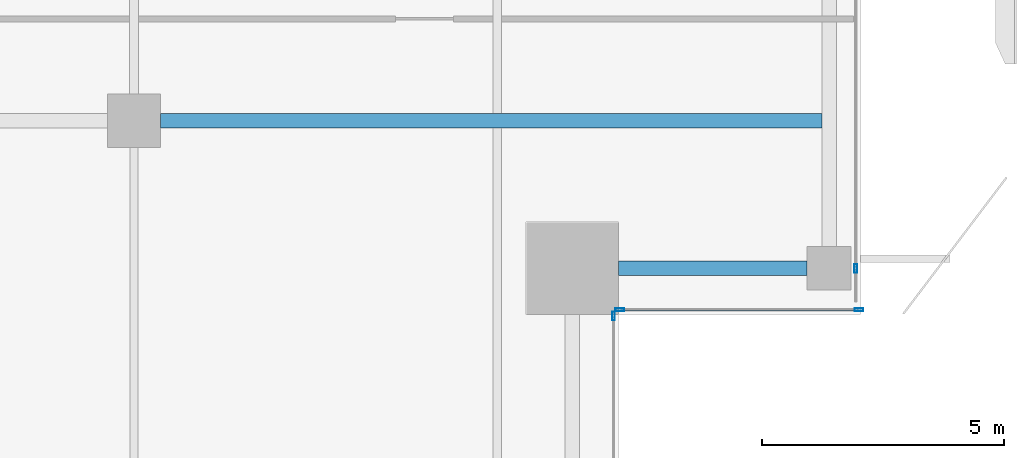
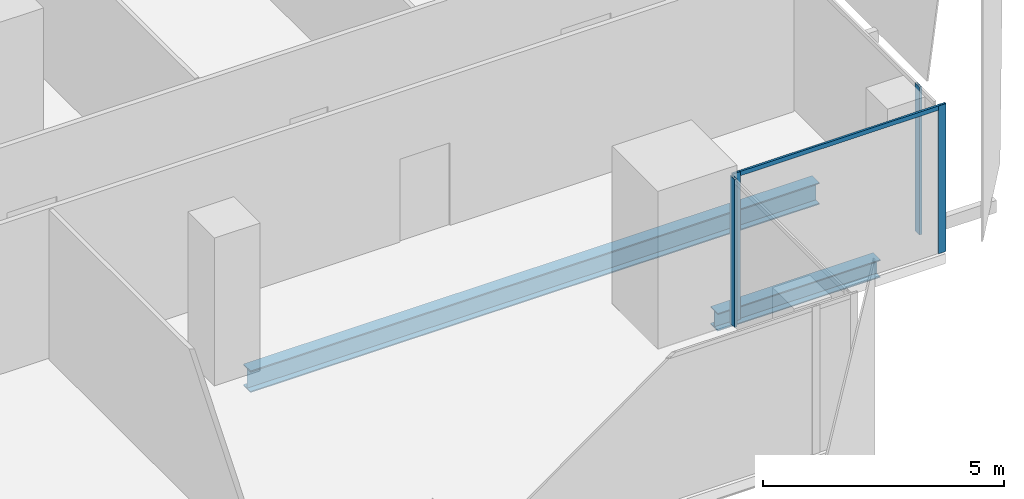
# One storey, part 9 of 35: 5 members, 2 beams, 3 elements without a shape of their own.
"""IFC4 building model written with IfcOpenShell, lengths in metres."""

import ifcopenshell
import ifcopenshell.guid

model = None  # the IFC model being written
_history = None  # IfcOwnerHistory: only IFC2X3 demands one
_inside = {}  # id of a spatial element -> (the spatial element, [elements in it])
_under = {}  # id of a project, library or spatial element -> (it, [spatial elements below it])
_declared = {}  # id of a project -> (the project, [libraries it declares])
_typed = {}  # id of a type object -> (the type object, [elements of that type])
_made_of = {}  # id of a material, layer set ... -> (it, [elements and type objects made of it])


def new_model(schema):
    """Start an empty IFC model of exactly this schema.

    Asked for "IFC4X3", IfcOpenShell would pick the latest addendum, in which some entities
    have other attributes; the version numbers below select the first issue.
    IFC2X3 requires an IfcOwnerHistory on every rooted entity: one is made here for all.
    """
    global model, _history
    if schema == "IFC4X3":
        model = ifcopenshell.file(schema_version=(4, 3, 0, 0))
    else:
        model = ifcopenshell.file(schema=schema)
    _inside.clear()
    _under.clear()
    _declared.clear()
    _typed.clear()
    _made_of.clear()
    _history = None
    if model.schema == "IFC2X3":
        org = make("IfcOrganization", Name="unknown")
        user = make(
            "IfcPersonAndOrganization",
            ThePerson=make("IfcPerson", FamilyName="unknown"),
            TheOrganization=org,
        )
        app = make(
            "IfcApplication",
            ApplicationDeveloper=org,
            Version="unknown",
            ApplicationFullName="unknown",
            ApplicationIdentifier="unknown",
        )
        _history = make(
            "IfcOwnerHistory",
            OwningUser=user,
            OwningApplication=app,
            ChangeAction="ADDED",
            CreationDate=0,
        )
    return model


def make(cls, **values):
    """One entity of the class cls with the attributes given. An attribute that is None is left unset."""
    return model.create_entity(
        cls, **{name: value for name, value in values.items() if value is not None}
    )


def rooted(cls, **values):
    """An entity with a GlobalId (a new one), such as an element, a storey or a relation."""
    return make(cls, GlobalId=ifcopenshell.guid.new(), OwnerHistory=_history, **values)


def si_unit(unit_type, name, prefix=None):
    """IfcSIUnit, for example si_unit("LENGTHUNIT", "METRE", prefix="MILLI")."""
    return make("IfcSIUnit", UnitType=unit_type, Prefix=prefix, Name=name)


def assignment(units):
    """IfcUnitAssignment: the units of a project."""
    return None if units is None else make("IfcUnitAssignment", Units=units)


def point(xyz):
    """IfcCartesianPoint."""
    return None if xyz is None else make("IfcCartesianPoint", Coordinates=xyz)


def direction(xyz):
    """IfcDirection."""
    return None if xyz is None else make("IfcDirection", DirectionRatios=xyz)


def frame(location, z_axis=None, x_axis=None):
    """IfcAxis2Placement3D, a coordinate frame: its origin and axes. An axis left out is left unset."""
    return make(
        "IfcAxis2Placement3D",
        Location=point(location),
        Axis=direction(z_axis),
        RefDirection=direction(x_axis),
    )


def frame_2d(location, x_axis=None):
    """IfcAxis2Placement2D, a coordinate frame in the plane: its origin and x axis."""
    return make(
        "IfcAxis2Placement2D", Location=point(location), RefDirection=direction(x_axis)
    )


def origin():
    """The frame at (0, 0, 0) with its axes left unset."""
    return frame((0.0, 0.0, 0.0))


def origin_2d():
    """The frame at (0, 0) in the plane with its x axis left unset."""
    return frame_2d((0.0, 0.0))


def place(relative_to, where):
    """IfcLocalPlacement: puts the frame where relative to a parent placement (None: the world)."""
    return make(
        "IfcLocalPlacement", PlacementRelTo=relative_to, RelativePlacement=where
    )


def context(
    kind, dimensions, precision=None, world=None, true_north=None, identifier=None
):
    """IfcGeometricRepresentationContext, for example the 3D "Model" context."""
    return make(
        "IfcGeometricRepresentationContext",
        ContextIdentifier=identifier,
        ContextType=kind,
        CoordinateSpaceDimension=dimensions,
        Precision=precision,
        WorldCoordinateSystem=world,
        TrueNorth=true_north,
    )


def subcontext(parent, identifier, kind, view, scale=None):
    """IfcGeometricRepresentationSubContext, for example "Body" below "Model"."""
    return make(
        "IfcGeometricRepresentationSubContext",
        ContextIdentifier=identifier,
        ContextType=kind,
        ParentContext=parent,
        TargetScale=scale,
        TargetView=view,
    )


def project(units=None, contexts=None):
    """IfcProject with its units and contexts."""
    return rooted(
        "IfcProject",
        Name="project",
        RepresentationContexts=contexts,
        UnitsInContext=assignment(units),
    )


def spatial(cls, under=None, at=None, **own):
    """A site, building, storey or space (cls), placed at a placement, below another one or the project."""
    s = rooted(cls, ObjectPlacement=at, **own)
    if under is not None:
        _under.setdefault(under.id(), (under, []))[1].append(s)
    return s


def profile(cls, at=None, kind="AREA", **sizes):
    """A parametric profile (cls). Its sizes go by their IFC names, for example OverallWidth=200.0."""
    return make(cls, ProfileType=kind, Position=at, **sizes)


def hollow_rectangle(**sizes):
    """IfcRectangleHollowProfileDef."""
    return profile("IfcRectangleHollowProfileDef", **sizes)


def i_section(**sizes):
    """IfcIShapeProfileDef."""
    return profile("IfcIShapeProfileDef", **sizes)


def extrude(swept, where, along, depth):
    """IfcExtrudedAreaSolid: the profile swept, set in the frame where, extruded along a direction by depth."""
    return make(
        "IfcExtrudedAreaSolid",
        SweptArea=swept,
        Position=where,
        ExtrudedDirection=direction(along),
        Depth=depth,
    )


def shape(context_of_items, identifier, shape_type, items):
    """IfcShapeRepresentation: the items that make up one representation, for example the "Body"."""
    return make(
        "IfcShapeRepresentation",
        ContextOfItems=context_of_items,
        RepresentationIdentifier=identifier,
        RepresentationType=shape_type,
        Items=items,
    )


def source(mapping_origin, context_of_items, identifier, shape_type, items):
    """IfcRepresentationMap: a shape defined once, which mapped items show again and again."""
    return make(
        "IfcRepresentationMap",
        MappingOrigin=mapping_origin,
        MappedRepresentation=shape(context_of_items, identifier, shape_type, items),
    )


def transform(
    local_origin,
    x_axis=None,
    y_axis=None,
    z_axis=None,
    scale=None,
    scale2=None,
    scale3=None,
    uniform=True,
):
    """IfcCartesianTransformationOperator3D, or its non-uniform kind. x_axis, y_axis, z_axis: its Axis1, 2, 3."""
    if uniform:
        return make(
            "IfcCartesianTransformationOperator3D",
            Axis1=direction(x_axis),
            Axis2=direction(y_axis),
            LocalOrigin=point(local_origin),
            Scale=scale,
            Axis3=direction(z_axis),
        )
    return make(
        "IfcCartesianTransformationOperator3DnonUniform",
        Axis1=direction(x_axis),
        Axis2=direction(y_axis),
        LocalOrigin=point(local_origin),
        Scale=scale,
        Axis3=direction(z_axis),
        Scale2=scale2,
        Scale3=scale3,
    )


def mapped(mapping_source, mapping_target):
    """IfcMappedItem: shows the shape of a source again, moved by a transform."""
    return make(
        "IfcMappedItem", MappingSource=mapping_source, MappingTarget=mapping_target
    )


def material(Name=None, Category=None):
    """IfcMaterial."""
    return make("IfcMaterial", Name=Name, Category=Category)


def material_profile(
    of_material, cross_section, Name=None, Category=None, Priority=None
):
    """IfcMaterialProfile: a cross section and its material."""
    return make(
        "IfcMaterialProfile",
        Name=Name,
        Material=of_material,
        Profile=cross_section,
        Priority=Priority,
        Category=Category,
    )


def profile_set(profiles, Name=None, composite=None):
    """IfcMaterialProfileSet."""
    return make(
        "IfcMaterialProfileSet",
        Name=Name,
        MaterialProfiles=profiles,
        CompositeProfile=composite,
    )


def made_of(thing, what):
    """Note that an element or type object is made of a material, layer set ...; save() writes the relation."""
    if what is not None:
        _made_of.setdefault(what.id(), (what, []))[1].append(thing)
    return thing


def type_object(cls, material=None, **own):
    """A type object (cls), such as IfcWallType, which elements share."""
    return made_of(rooted(cls, **own), material)


def element(
    cls,
    number,
    at=None,
    inside=None,
    cuts=None,
    type_object=None,
    material=None,
    context=None,
    identifier="Body",
    shape_type=None,
    held_by="IfcProductDefinitionShape",
    body=None,
    shapes=None,
    **own,
):
    """One element of the class cls, such as IfcWall. Its Tag is "e" and its number.

    at: its placement. inside: the storey or other place that contains it. cuts: it is an
    opening in that element (IfcRelVoidsElement). A single representation is given by context,
    identifier, shape_type and body (its items); several are given by shapes. held_by: the class
    of the entity that holds the representations. save() writes the other relations.
    """
    e = rooted(cls, Tag="e%d" % number, ObjectPlacement=at, **own)
    if body is not None:
        shapes = [shape(context, identifier, shape_type, body)]
    if shapes is not None:
        e.Representation = make(held_by, Representations=shapes)
    if inside is not None:
        _inside.setdefault(inside.id(), (inside, []))[1].append(e)
    if cuts is not None:
        rooted(
            "IfcRelVoidsElement", RelatingBuildingElement=cuts, RelatedOpeningElement=e
        )
    if type_object is not None:
        _typed.setdefault(type_object.id(), (type_object, []))[1].append(e)
    return made_of(e, material)


def aggregate(whole, parts):
    """IfcRelAggregates: a whole, such as a stair, and the parts it consists of."""
    return rooted("IfcRelAggregates", RelatingObject=whole, RelatedObjects=parts)


def save(model, path):
    """Write the relations noted so far, then the file.

    IfcRelAggregates (storeys below a building ...), IfcRelContainedInSpatialStructure (elements
    in a storey), IfcRelDefinesByType, IfcRelAssociatesMaterial and IfcRelDeclares: one each for
    every whole, place, type object, material and project.
    """
    for whole, parts in _under.values():
        aggregate(whole, parts)
    for where, things in _inside.values():
        rooted(
            "IfcRelContainedInSpatialStructure",
            RelatedElements=things,
            RelatingStructure=where,
        )
    for kind, things in _typed.values():
        rooted("IfcRelDefinesByType", RelatedObjects=things, RelatingType=kind)
    for what, things in _made_of.values():
        rooted("IfcRelAssociatesMaterial", RelatedObjects=things, RelatingMaterial=what)
    for by, libraries in _declared.values():
        rooted("IfcRelDeclares", RelatingContext=by, RelatedDefinitions=libraries)
    model.write(path)


model = new_model("IFC4")

# Units and contexts
model_context = context("Model", 3, precision=1e-05, world=origin(), true_north=direction((0.0, 1.0)))
body_context = subcontext(model_context, "Body", "Model", "MODEL_VIEW")
ifc_project = project(units=[si_unit("LENGTHUNIT", "METRE"), si_unit("AREAUNIT", "SQUARE_METRE"), si_unit("VOLUMEUNIT", "CUBIC_METRE"), si_unit("PLANEANGLEUNIT", "RADIAN"), si_unit("MASSUNIT", "GRAM", prefix="KILO")], contexts=[model_context])

# Site, building, storey
site_placement = place(None, origin())
site = spatial("IfcSite", under=ifc_project, at=site_placement, CompositionType="ELEMENT")
building_placement = place(site_placement, origin())
building = spatial("IfcBuilding", under=site, at=building_placement, Name="Khomas Fold Tower", CompositionType="ELEMENT")
storey_placement = place(building_placement, frame((0.0, 0.0, 258.199951171875)))
storey = spatial("IfcBuildingStorey", under=building, at=storey_placement, Name="L58", CompositionType="ELEMENT", Elevation=258.199951171875)

# Beams
ifc_material_1 = material(Name="Steel S355", Category="steel")
ifc_material_profile_1 = material_profile(ifc_material_1, i_section(OverallWidth=0.300048828125, OverallDepth=0.449951171875, WebThickness=0.013916015625, FlangeThickness=0.02587890625, at=origin_2d()), Name="HE 450 B")
ifc_profile_set_1 = profile_set([ifc_material_profile_1], Name="Steel S355")
beam_type_1 = type_object("IfcBeamType", Name="HE 450 B spandrel SB4", PredefinedType="SPANDREL", material=ifc_profile_set_1)
shared_shape_1 = source(origin(), body_context, "Body", "SweptSolid", [
    extrude(i_section(OverallWidth=0.300048828125, OverallDepth=0.449951171875, WebThickness=0.013916015625, FlangeThickness=0.02587890625, at=origin_2d()), origin(), (0.0, 0.0, 1.0), 3.89990234375),
])
beam_1_placement = place(storey_placement, frame((44.5, 10.449951171875, -0.474853515625), z_axis=(1.0, 0.0, 0.0), x_axis=(0.0, 1.0, 0.0)))
element("IfcBeam", 1, at=beam_1_placement, inside=storey, type_object=beam_type_1, Name="SB4", PredefinedType="SPANDREL", context=body_context, shape_type="MappedRepresentation", body=[
    mapped(shared_shape_1, transform((0.0, 0.0, 0.0))),
])
ifc_material_2 = material(Name="Steel S355", Category="steel")
ifc_material_profile_2 = material_profile(ifc_material_2, i_section(OverallWidth=0.300048828125, OverallDepth=0.550048828125, WebThickness=0.014892578125, FlangeThickness=0.029052734375, at=origin_2d()), Name="HE 550 B")
ifc_profile_set_2 = profile_set([ifc_material_profile_2], Name="Steel S355")
beam_type_2 = type_object("IfcBeamType", Name="HE 550 B beam GB4", PredefinedType="BEAM", material=ifc_profile_set_2)
shared_shape_2 = source(origin(), body_context, "Body", "SweptSolid", [
    extrude(i_section(OverallWidth=0.300048828125, OverallDepth=0.550048828125, WebThickness=0.014892578125, FlangeThickness=0.029052734375, at=origin_2d()), origin(), (0.0, 0.0, 1.0), 13.64990234375),
])
beam_2_placement = place(storey_placement, frame((35.050048828125, 13.5, -0.52490234375), z_axis=(1.0, 0.0, 0.0), x_axis=(0.0, 1.0, 0.0)))
element("IfcBeam", 2, at=beam_2_placement, inside=storey, type_object=beam_type_2, Name="GB4", PredefinedType="BEAM", context=body_context, shape_type="MappedRepresentation", body=[
    mapped(shared_shape_2, transform((0.0, 0.0, 0.0))),
])

# Curtain wall, member
ifc_material_3 = material(Name="Aluminium framed double glazing", Category="aluminium")
curtain_wall_type = type_object("IfcCurtainWallType", Name="SK-Unitised clear-glass wall, office floors CW2", PredefinedType="NOTDEFINED", material=ifc_material_3)
curtain_wall_1_placement = place(storey_placement, origin())
curtain_wall_1 = element("IfcCurtainWall", 3, at=curtain_wall_1_placement, inside=storey, type_object=curtain_wall_type, Name="CW2 corner return L58 01", PredefinedType="NOTDEFINED")
ifc_material_4 = material(Name="Aluminium", Category="aluminium")
ifc_material_profile_3 = material_profile(ifc_material_4, hollow_rectangle(XDim=0.06005859375, YDim=0.179931640625, WallThickness=0.00390625, at=origin_2d()), Name="SK-Unitised clear-glass wall, office floors mullion CW2-M")
ifc_profile_set_3 = profile_set([ifc_material_profile_3], Name="Aluminium")
member_type_1 = type_object("IfcMemberType", Name="SK-Unitised clear-glass wall, office floors mullion CW2-M", PredefinedType="MULLION", material=ifc_profile_set_3)
shared_shape_3 = source(origin(), body_context, "Body", "SweptSolid", [
    extrude(hollow_rectangle(XDim=0.06005859375, YDim=0.179931640625, WallThickness=0.00390625, at=origin_2d()), origin(), (0.0, 0.0, 1.0), 3.75),
])
member_1_placement = place(storey_placement, frame((44.39990234375, 9.469970703125, 0.0), z_axis=(0.0, 0.0, 1.0), x_axis=(-1.0, 0.0, 0.0)))
member_1 = element("IfcMember", 4, at=member_1_placement, type_object=member_type_1, Name="CW2 mullion 2", PredefinedType="MULLION", context=body_context, shape_type="MappedRepresentation", body=[
    mapped(shared_shape_3, transform((0.0, 0.0, 0.0))),
])
aggregate(curtain_wall_1, [member_1])

# Curtain wall, members
curtain_wall_2_placement = place(storey_placement, origin())
curtain_wall_2 = element("IfcCurtainWall", 5, at=curtain_wall_2_placement, inside=storey, type_object=curtain_wall_type, Name="CW2 corner return L58 02", PredefinedType="NOTDEFINED")
member_2_placement = place(storey_placement, frame((44.530029296875, 9.60009765625, 0.0), z_axis=(0.0, 0.0, 1.0), x_axis=(0.0, 1.0, 0.0)))
member_2 = element("IfcMember", 6, at=member_2_placement, type_object=member_type_1, Name="CW2 mullion 1", PredefinedType="MULLION", context=body_context, shape_type="MappedRepresentation", body=[
    mapped(shared_shape_3, transform((0.0, 0.0, 0.0))),
])
member_3_placement = place(storey_placement, frame((49.469970703125, 9.60009765625, 0.0), z_axis=(0.0, 0.0, 1.0), x_axis=(0.0, 1.0, 0.0)))
member_3 = element("IfcMember", 7, at=member_3_placement, type_object=member_type_1, Name="CW2 mullion 2", PredefinedType="MULLION", context=body_context, shape_type="MappedRepresentation", body=[
    mapped(shared_shape_3, transform((0.0, 0.0, 0.0))),
])

# Curtain wall, member
curtain_wall_3_placement = place(storey_placement, origin())
curtain_wall_3 = element("IfcCurtainWall", 8, at=curtain_wall_3_placement, inside=storey, type_object=curtain_wall_type, Name="CW2 run L58 03-0", PredefinedType="NOTDEFINED")
member_4_placement = place(storey_placement, frame((49.39990234375, 10.449951171875, 0.0), z_axis=(0.0, 0.0, 1.0), x_axis=(-1.0, 0.0, 0.0)))
member_4 = element("IfcMember", 9, at=member_4_placement, type_object=member_type_1, Name="CW2 mullion 2", PredefinedType="MULLION", context=body_context, shape_type="MappedRepresentation", body=[
    mapped(shared_shape_3, transform((0.0, 0.0, 0.0))),
])
aggregate(curtain_wall_3, [member_4])

# Member
ifc_material_5 = material(Name="Aluminium", Category="aluminium")
ifc_material_profile_4 = material_profile(ifc_material_5, hollow_rectangle(XDim=0.050048828125, YDim=0.110107421875, WallThickness=0.00390625, at=origin_2d()), Name="SK-Unitised clear-glass wall, office floors transom CW2-T")
ifc_profile_set_4 = profile_set([ifc_material_profile_4], Name="Aluminium")
member_type_2 = type_object("IfcMemberType", Name="SK-Unitised clear-glass wall, office floors transom CW2-T", PredefinedType="USERDEFINED", material=ifc_profile_set_4)
shared_shape_4 = source(origin(), body_context, "Body", "SweptSolid", [
    extrude(hollow_rectangle(XDim=0.050048828125, YDim=0.110107421875, WallThickness=0.00390625, at=origin_2d()), origin(), (0.0, 0.0, 1.0), 4.8798828125),
])
member_5_placement = place(storey_placement, frame((44.56005859375, 9.60009765625, 3.695068359375), z_axis=(1.0, 0.0, 0.0), x_axis=(0.0, 1.0, 0.0)))
member_5 = element("IfcMember", 10, at=member_5_placement, type_object=member_type_2, Name="CW2 transom 1", ObjectType="TRANSOM", PredefinedType="USERDEFINED", context=body_context, shape_type="MappedRepresentation", body=[
    mapped(shared_shape_4, transform((0.0, 0.0, 0.0))),
])

aggregate(curtain_wall_2, [member_2, member_3, member_5])

save(model, "model.ifc")
